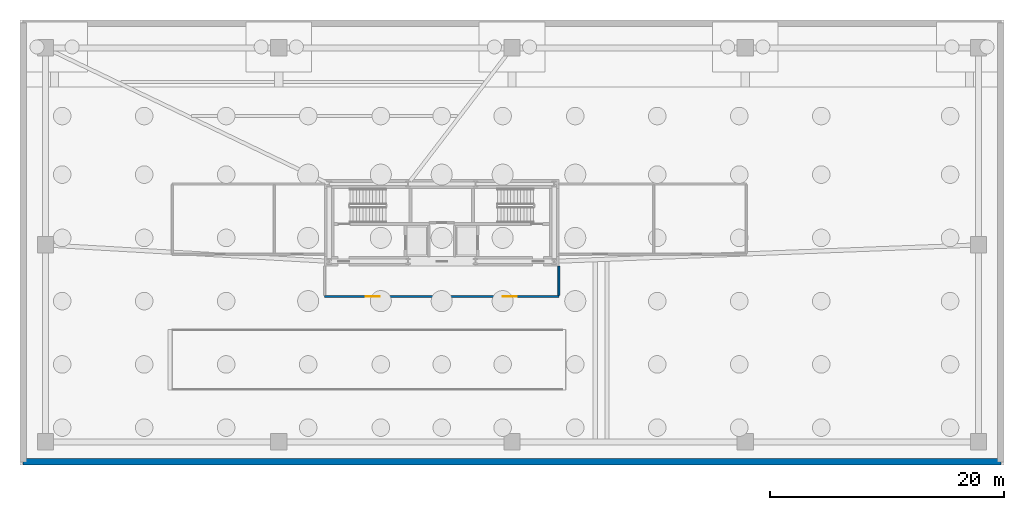
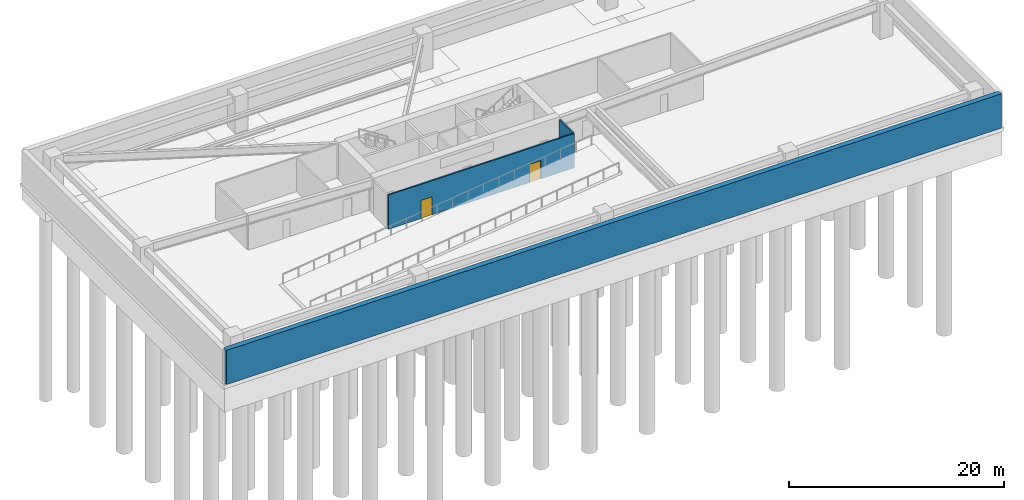
# One storey, part 4 of 8: 3 walls, 2 doors, 2 openings.
"""IFC4 building model written with IfcOpenShell, lengths in metres."""

from ifc_helpers import new_model, si_unit, direction, frame, frame_2d, origin, place, context, subcontext, project, spatial, rectangle, extrude, source, transform, mapped, material, layer, layer_set, type_object, type_shapes, element, fill, save


model = new_model("IFC4")

# Units and contexts
model_context = context("Model", 3, precision=1e-05, world=origin(), true_north=direction((0.0, 1.0)))
body_context = subcontext(model_context, "Body", "Model", "MODEL_VIEW")
ifc_project = project(units=[si_unit("LENGTHUNIT", "METRE"), si_unit("AREAUNIT", "SQUARE_METRE"), si_unit("VOLUMEUNIT", "CUBIC_METRE"), si_unit("PLANEANGLEUNIT", "RADIAN"), si_unit("MASSUNIT", "GRAM", prefix="KILO")], contexts=[model_context])

# Site, building, storey
site_placement = place(None, origin())
site = spatial("IfcSite", under=ifc_project, at=site_placement, CompositionType="ELEMENT")
building_placement = place(site_placement, origin())
building = spatial("IfcBuilding", under=site, at=building_placement, Name="Astriad Promenade Condominiums", CompositionType="ELEMENT")
storey_placement = place(building_placement, frame((0.0, 0.0, -8.39990234375)))
storey = spatial("IfcBuildingStorey", under=building, at=storey_placement, Name="B02", CompositionType="ELEMENT", Elevation=-8.39990234375)

# Wall, openings, doors
ifc_material_1 = material(Name="Fire-Rated Gypsum Partition")
ifc_layer_1 = layer(ifc_material_1, 0.159912109375)
ifc_layer_set_1 = layer_set([ifc_layer_1], Name="Fire-Rated Gypsum Partition")
wall_type_1 = type_object("IfcWallType", Name="WALL-CORR-160", PredefinedType="PARTITIONING", material=ifc_layer_set_1)
wall_1_placement = place(storey_placement, frame((26.0, 14.39990234375, 0.0), z_axis=(0.0, 0.0, 1.0), x_axis=(1.0, 0.0, 0.0)))
wall_1 = element("IfcWall", 1, at=wall_1_placement, inside=storey, type_object=wall_type_1, Name="PT-B02-VLOB-S", PredefinedType="PARTITIONING", context=body_context, shape_type="SweptSolid", body=[
    extrude(rectangle(XDim=20.0, YDim=0.159912109375, at=frame_2d((10.0, 0.0))), origin(), (0.0, 0.0, 1.0), 3.89990234375),
])
opening_1_placement = place(wall_1_placement, frame((3.5, 0.0, 0.0)))
opening_1 = element("IfcOpeningElement", 2, at=opening_1_placement, cuts=wall_1, Name="Opening FD90-PLT-1222", PredefinedType="OPENING", context=body_context, shape_type="SweptSolid", body=[
    extrude(rectangle(XDim=1.199951171875, YDim=2.080078125, at=frame_2d((0.60009765625, 1.0400390625))), frame((0.0, 0.08984375, 0.0), z_axis=(0.0, -1.0, 0.0), x_axis=(1.0, 0.0, 0.0)), (0.0, 0.0, 1.0), 0.179931640625),
])
opening_2_placement = place(wall_1_placement, frame((15.199951171875, 0.0, 0.0)))
opening_2 = element("IfcOpeningElement", 3, at=opening_2_placement, cuts=wall_1, Name="Opening FD90-PLT-1222", PredefinedType="OPENING", context=body_context, shape_type="SweptSolid", body=[
    extrude(rectangle(XDim=1.199951171875, YDim=2.080078125, at=frame_2d((0.60009765625, 1.0400390625))), frame((0.0, 0.08984375, 0.0), z_axis=(0.0, -1.0, 0.0), x_axis=(1.0, 0.0, 0.0)), (0.0, 0.0, 1.0), 0.179931640625),
])
ifc_material_2 = material(Name="Fire-Rated Double-Insulated Plant Door")
door_type = type_object("IfcDoorType", Name="FD90-PLT-1222", OperationType="NOTDEFINED", PredefinedType="DOOR", material=ifc_material_2)
shared_shape = source(origin(), body_context, "Body", "SweptSolid", [
    extrude(rectangle(XDim=1.199951171875, YDim=2.080078125, at=frame_2d((0.60009765625, 1.0400390625))), frame((0.0, 0.02490234375, 0.0), z_axis=(0.0, -1.0, 0.0), x_axis=(1.0, 0.0, 0.0)), (0.0, 0.0, 1.0), 0.050048828125),
])
type_shapes(door_type, [shared_shape])
door_1_placement = place(opening_1_placement, origin())
door_1 = element("IfcDoor", 4, at=door_1_placement, inside=storey, type_object=door_type, Name="D-B02-VL1", OperationType="SINGLE_SWING_RIGHT", OverallHeight=2.080078125, OverallWidth=1.199951171875, PredefinedType="DOOR", context=body_context, shape_type="MappedRepresentation", body=[
    mapped(shared_shape, transform((0.0, 0.0, 0.0), scale=1.0)),
])
fill(opening_1, door_1)
door_2_placement = place(opening_2_placement, origin())
door_2 = element("IfcDoor", 5, at=door_2_placement, inside=storey, type_object=door_type, Name="D-B02-VL2", OperationType="SINGLE_SWING_LEFT", OverallHeight=2.080078125, OverallWidth=1.199951171875, PredefinedType="DOOR", context=body_context, shape_type="MappedRepresentation", body=[
    mapped(shared_shape, transform((0.0, 0.0, 0.0), scale=1.0)),
])
fill(opening_2, door_2)

# Walls
wall_2_placement = place(storey_placement, frame((46.0, 14.48193359375, 0.0), z_axis=(0.0, 0.0, 1.0), x_axis=(0.0, 1.0, 0.0)))
element("IfcWall", 6, at=wall_2_placement, inside=storey, type_object=wall_type_1, Name="PT-B02-VLOB-E", PredefinedType="PARTITIONING", context=body_context, shape_type="SweptSolid", body=[
    extrude(rectangle(XDim=2.51611328125, YDim=0.159912109375, at=frame_2d((1.258056640625, 0.0))), origin(), (0.0, 0.0, 1.0), 3.89990234375),
])
ifc_material_3 = material(Name="Concrete C50/60", Category="concrete")
ifc_layer_2 = layer(ifc_material_3, 0.550048828125)
ifc_layer_set_2 = layer_set([ifc_layer_2], Name="Concrete C50/60")
wall_type_2 = type_object("IfcWallType", Name="WALL-RET-550", PredefinedType="SOLIDWALL", material=ifc_layer_set_2)
wall_3_placement = place(storey_placement, frame((83.72509765625, 0.27490234375, 0.0), z_axis=(0.0, 0.0, 1.0), x_axis=(-1.0, 0.0, 0.0)))
element("IfcWall", 7, at=wall_3_placement, inside=storey, type_object=wall_type_2, Name="W-RET-B02-4", PredefinedType="SOLIDWALL", context=body_context, shape_type="SweptSolid", body=[
    extrude(rectangle(XDim=83.4501953125, YDim=0.550048828125, at=frame_2d((41.72509765625, 0.0))), origin(), (0.0, 0.0, 1.0), 3.89990234375),
])

save(model, "model.ifc")
